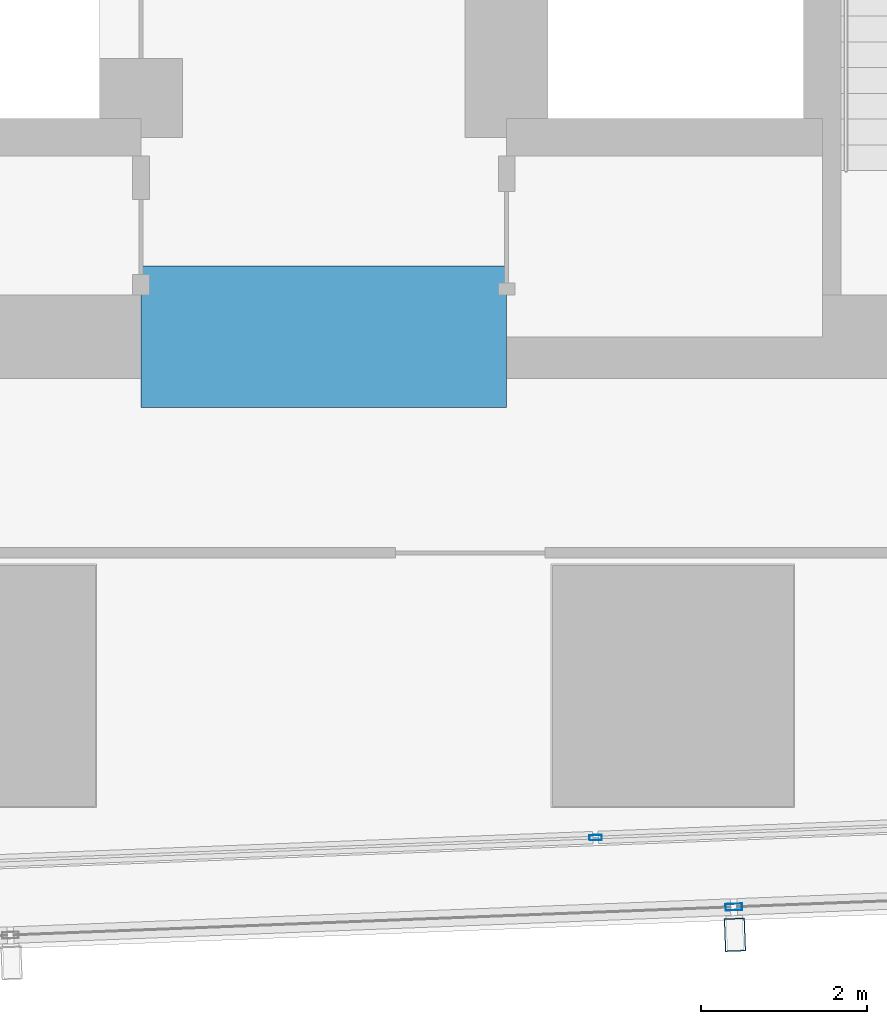
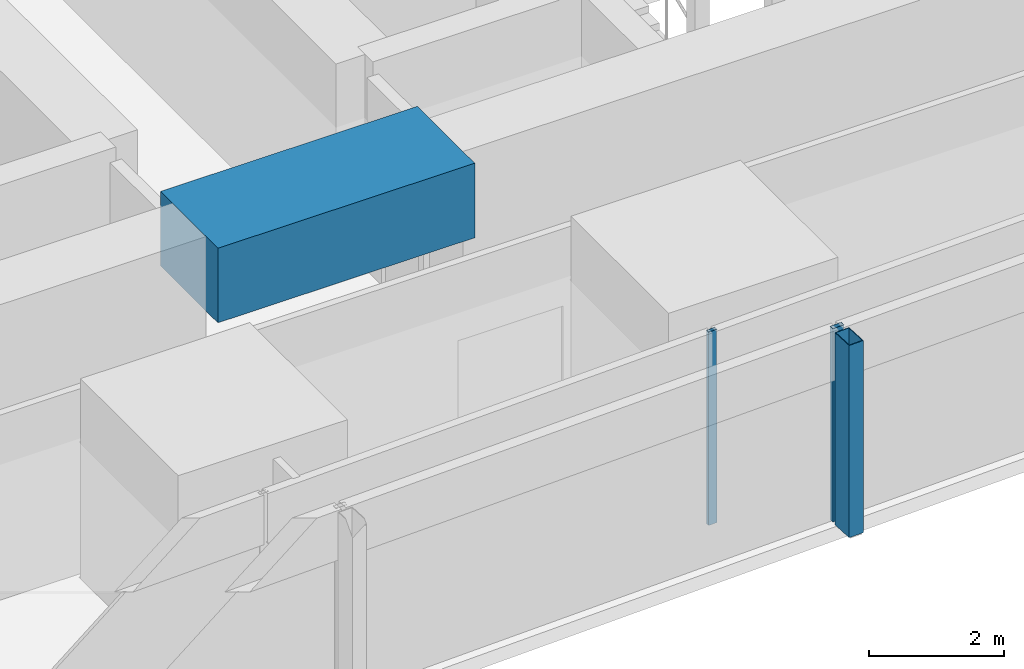
# One storey, part 9 of 40: 3 members, 1 beam, 2 elements without a shape of their own.
"""IFC4 building model written with IfcOpenShell, lengths in metres."""

import ifcopenshell
import ifcopenshell.guid

model = None  # the IFC model being written
_history = None  # IfcOwnerHistory: only IFC2X3 demands one
_inside = {}  # id of a spatial element -> (the spatial element, [elements in it])
_under = {}  # id of a project, library or spatial element -> (it, [spatial elements below it])
_declared = {}  # id of a project -> (the project, [libraries it declares])
_typed = {}  # id of a type object -> (the type object, [elements of that type])
_made_of = {}  # id of a material, layer set ... -> (it, [elements and type objects made of it])


def new_model(schema):
    """Start an empty IFC model of exactly this schema.

    Asked for "IFC4X3", IfcOpenShell would pick the latest addendum, in which some entities
    have other attributes; the version numbers below select the first issue.
    IFC2X3 requires an IfcOwnerHistory on every rooted entity: one is made here for all.
    """
    global model, _history
    if schema == "IFC4X3":
        model = ifcopenshell.file(schema_version=(4, 3, 0, 0))
    else:
        model = ifcopenshell.file(schema=schema)
    _inside.clear()
    _under.clear()
    _declared.clear()
    _typed.clear()
    _made_of.clear()
    _history = None
    if model.schema == "IFC2X3":
        org = make("IfcOrganization", Name="unknown")
        user = make(
            "IfcPersonAndOrganization",
            ThePerson=make("IfcPerson", FamilyName="unknown"),
            TheOrganization=org,
        )
        app = make(
            "IfcApplication",
            ApplicationDeveloper=org,
            Version="unknown",
            ApplicationFullName="unknown",
            ApplicationIdentifier="unknown",
        )
        _history = make(
            "IfcOwnerHistory",
            OwningUser=user,
            OwningApplication=app,
            ChangeAction="ADDED",
            CreationDate=0,
        )
    return model


def make(cls, **values):
    """One entity of the class cls with the attributes given. An attribute that is None is left unset."""
    return model.create_entity(
        cls, **{name: value for name, value in values.items() if value is not None}
    )


def rooted(cls, **values):
    """An entity with a GlobalId (a new one), such as an element, a storey or a relation."""
    return make(cls, GlobalId=ifcopenshell.guid.new(), OwnerHistory=_history, **values)


def si_unit(unit_type, name, prefix=None):
    """IfcSIUnit, for example si_unit("LENGTHUNIT", "METRE", prefix="MILLI")."""
    return make("IfcSIUnit", UnitType=unit_type, Prefix=prefix, Name=name)


def assignment(units):
    """IfcUnitAssignment: the units of a project."""
    return None if units is None else make("IfcUnitAssignment", Units=units)


def point(xyz):
    """IfcCartesianPoint."""
    return None if xyz is None else make("IfcCartesianPoint", Coordinates=xyz)


def direction(xyz):
    """IfcDirection."""
    return None if xyz is None else make("IfcDirection", DirectionRatios=xyz)


def frame(location, z_axis=None, x_axis=None):
    """IfcAxis2Placement3D, a coordinate frame: its origin and axes. An axis left out is left unset."""
    return make(
        "IfcAxis2Placement3D",
        Location=point(location),
        Axis=direction(z_axis),
        RefDirection=direction(x_axis),
    )


def frame_2d(location, x_axis=None):
    """IfcAxis2Placement2D, a coordinate frame in the plane: its origin and x axis."""
    return make(
        "IfcAxis2Placement2D", Location=point(location), RefDirection=direction(x_axis)
    )


def origin():
    """The frame at (0, 0, 0) with its axes left unset."""
    return frame((0.0, 0.0, 0.0))


def origin_2d():
    """The frame at (0, 0) in the plane with its x axis left unset."""
    return frame_2d((0.0, 0.0))


def place(relative_to, where):
    """IfcLocalPlacement: puts the frame where relative to a parent placement (None: the world)."""
    return make(
        "IfcLocalPlacement", PlacementRelTo=relative_to, RelativePlacement=where
    )


def context(
    kind, dimensions, precision=None, world=None, true_north=None, identifier=None
):
    """IfcGeometricRepresentationContext, for example the 3D "Model" context."""
    return make(
        "IfcGeometricRepresentationContext",
        ContextIdentifier=identifier,
        ContextType=kind,
        CoordinateSpaceDimension=dimensions,
        Precision=precision,
        WorldCoordinateSystem=world,
        TrueNorth=true_north,
    )


def subcontext(parent, identifier, kind, view, scale=None):
    """IfcGeometricRepresentationSubContext, for example "Body" below "Model"."""
    return make(
        "IfcGeometricRepresentationSubContext",
        ContextIdentifier=identifier,
        ContextType=kind,
        ParentContext=parent,
        TargetScale=scale,
        TargetView=view,
    )


def project(units=None, contexts=None):
    """IfcProject with its units and contexts."""
    return rooted(
        "IfcProject",
        Name="project",
        RepresentationContexts=contexts,
        UnitsInContext=assignment(units),
    )


def spatial(cls, under=None, at=None, **own):
    """A site, building, storey or space (cls), placed at a placement, below another one or the project."""
    s = rooted(cls, ObjectPlacement=at, **own)
    if under is not None:
        _under.setdefault(under.id(), (under, []))[1].append(s)
    return s


def profile(cls, at=None, kind="AREA", **sizes):
    """A parametric profile (cls). Its sizes go by their IFC names, for example OverallWidth=200.0."""
    return make(cls, ProfileType=kind, Position=at, **sizes)


def rectangle(**sizes):
    """IfcRectangleProfileDef."""
    return profile("IfcRectangleProfileDef", **sizes)


def hollow_rectangle(**sizes):
    """IfcRectangleHollowProfileDef."""
    return profile("IfcRectangleHollowProfileDef", **sizes)


def extrude(swept, where, along, depth):
    """IfcExtrudedAreaSolid: the profile swept, set in the frame where, extruded along a direction by depth."""
    return make(
        "IfcExtrudedAreaSolid",
        SweptArea=swept,
        Position=where,
        ExtrudedDirection=direction(along),
        Depth=depth,
    )


def shape(context_of_items, identifier, shape_type, items):
    """IfcShapeRepresentation: the items that make up one representation, for example the "Body"."""
    return make(
        "IfcShapeRepresentation",
        ContextOfItems=context_of_items,
        RepresentationIdentifier=identifier,
        RepresentationType=shape_type,
        Items=items,
    )


def material(Name=None, Category=None):
    """IfcMaterial."""
    return make("IfcMaterial", Name=Name, Category=Category)


def material_profile(
    of_material, cross_section, Name=None, Category=None, Priority=None
):
    """IfcMaterialProfile: a cross section and its material."""
    return make(
        "IfcMaterialProfile",
        Name=Name,
        Material=of_material,
        Profile=cross_section,
        Priority=Priority,
        Category=Category,
    )


def profile_set(profiles, Name=None, composite=None):
    """IfcMaterialProfileSet."""
    return make(
        "IfcMaterialProfileSet",
        Name=Name,
        MaterialProfiles=profiles,
        CompositeProfile=composite,
    )


def made_of(thing, what):
    """Note that an element or type object is made of a material, layer set ...; save() writes the relation."""
    if what is not None:
        _made_of.setdefault(what.id(), (what, []))[1].append(thing)
    return thing


def type_object(cls, material=None, **own):
    """A type object (cls), such as IfcWallType, which elements share."""
    return made_of(rooted(cls, **own), material)


def element(
    cls,
    number,
    at=None,
    inside=None,
    cuts=None,
    type_object=None,
    material=None,
    context=None,
    identifier="Body",
    shape_type=None,
    held_by="IfcProductDefinitionShape",
    body=None,
    shapes=None,
    **own,
):
    """One element of the class cls, such as IfcWall. Its Tag is "e" and its number.

    at: its placement. inside: the storey or other place that contains it. cuts: it is an
    opening in that element (IfcRelVoidsElement). A single representation is given by context,
    identifier, shape_type and body (its items); several are given by shapes. held_by: the class
    of the entity that holds the representations. save() writes the other relations.
    """
    e = rooted(cls, Tag="e%d" % number, ObjectPlacement=at, **own)
    if body is not None:
        shapes = [shape(context, identifier, shape_type, body)]
    if shapes is not None:
        e.Representation = make(held_by, Representations=shapes)
    if inside is not None:
        _inside.setdefault(inside.id(), (inside, []))[1].append(e)
    if cuts is not None:
        rooted(
            "IfcRelVoidsElement", RelatingBuildingElement=cuts, RelatedOpeningElement=e
        )
    if type_object is not None:
        _typed.setdefault(type_object.id(), (type_object, []))[1].append(e)
    return made_of(e, material)


def aggregate(whole, parts):
    """IfcRelAggregates: a whole, such as a stair, and the parts it consists of."""
    return rooted("IfcRelAggregates", RelatingObject=whole, RelatedObjects=parts)


def save(model, path):
    """Write the relations noted so far, then the file.

    IfcRelAggregates (storeys below a building ...), IfcRelContainedInSpatialStructure (elements
    in a storey), IfcRelDefinesByType, IfcRelAssociatesMaterial and IfcRelDeclares: one each for
    every whole, place, type object, material and project.
    """
    for whole, parts in _under.values():
        aggregate(whole, parts)
    for where, things in _inside.values():
        rooted(
            "IfcRelContainedInSpatialStructure",
            RelatedElements=things,
            RelatingStructure=where,
        )
    for kind, things in _typed.values():
        rooted("IfcRelDefinesByType", RelatedObjects=things, RelatingType=kind)
    for what, things in _made_of.values():
        rooted("IfcRelAssociatesMaterial", RelatedObjects=things, RelatingMaterial=what)
    for by, libraries in _declared.values():
        rooted("IfcRelDeclares", RelatingContext=by, RelatedDefinitions=libraries)
    model.write(path)


model = new_model("IFC4")

# Units and contexts
model_context = context("Model", 3, precision=1e-05, world=origin(), true_north=direction((0.0, 1.0)))
body_context = subcontext(model_context, "Body", "Model", "MODEL_VIEW")
ifc_project = project(units=[si_unit("LENGTHUNIT", "METRE"), si_unit("AREAUNIT", "SQUARE_METRE"), si_unit("VOLUMEUNIT", "CUBIC_METRE"), si_unit("PLANEANGLEUNIT", "RADIAN"), si_unit("MASSUNIT", "GRAM", prefix="KILO")], contexts=[model_context])

# Site, building, storey
site_placement = place(None, origin())
site = spatial("IfcSite", under=ifc_project, at=site_placement, CompositionType="ELEMENT")
building_placement = place(site_placement, origin())
building = spatial("IfcBuilding", under=site, at=building_placement, Name="Rekha Terrace Tower", CompositionType="ELEMENT")
storey_placement = place(building_placement, frame((0.0, 0.0, 95.300048828125)))
storey = spatial("IfcBuildingStorey", under=building, at=storey_placement, Name="L23", CompositionType="ELEMENT", Elevation=95.300048828125)

# Curtain wall, member
ifc_material_1 = material(Name="Aluminium framing", Category="aluminium")
curtain_wall_type_1 = type_object("IfcCurtainWallType", Name="CW2 double skin outer glazing", PredefinedType="USERDEFINED", material=ifc_material_1)
curtain_wall_1_placement = place(storey_placement, origin())
curtain_wall_1 = element("IfcCurtainWall", 1, at=curtain_wall_1_placement, inside=storey, type_object=curtain_wall_type_1, Name="CW2 double skin outer glazing", ObjectType="DOUBLE SKIN OUTER GLAZING", PredefinedType="USERDEFINED")
ifc_material_2 = material(Name="Steel S355 with fluorocarbon finish", Category="steel")
ifc_material_profile_1 = material_profile(ifc_material_2, hollow_rectangle(XDim=0.25, YDim=0.39990234375, WallThickness=0.012451171875, at=origin_2d()), Name="RHS400x250x12.5")
ifc_profile_set_1 = profile_set([ifc_material_profile_1], Name="Steel S355 with fluorocarbon finish")
member_type_1 = type_object("IfcMemberType", Name="BL1 facade blade RHS 400 x 250", PredefinedType="USERDEFINED", material=ifc_profile_set_1)
member_1_placement = place(storey_placement, frame((42.747314453125, 13.802978515625, 0.02001953125), z_axis=(0.0, 0.0, 1.0), x_axis=(0.999243494356, 0.038890088543, 0.0)))
member_1 = element("IfcMember", 2, at=member_1_placement, type_object=member_type_1, Name="Facade blade", ObjectType="FACADE BLADE", PredefinedType="USERDEFINED", context=body_context, shape_type="SweptSolid", body=[
    extrude(hollow_rectangle(XDim=0.25, YDim=0.39990234375, WallThickness=0.012451171875, at=origin_2d()), origin(), (0.0, 0.0, 1.0), 3.47998046875),
])

curtain_wall_type_2 = type_object("IfcCurtainWallType", Name="CW1 double skin inner glazing", PredefinedType="USERDEFINED", material=ifc_material_1)
curtain_wall_2_placement = place(storey_placement, origin())
curtain_wall_2 = element("IfcCurtainWall", 3, at=curtain_wall_2_placement, inside=storey, type_object=curtain_wall_type_2, Name="CW1 double skin inner glazing", ObjectType="DOUBLE SKIN INNER GLAZING", PredefinedType="USERDEFINED")
ifc_material_3 = material(Name="Aluminium mullion section", Category="aluminium")
ifc_material_profile_2 = material_profile(ifc_material_3, hollow_rectangle(XDim=0.06494140625, YDim=0.14990234375, WallThickness=0.00390625, at=origin_2d()), Name="AL RHS 65x150")
ifc_profile_set_2 = profile_set([ifc_material_profile_2], Name="Aluminium mullion section")
member_type_2 = type_object("IfcMemberType", Name="CW1 mullion RHS 65 x 150", PredefinedType="MULLION", material=ifc_profile_set_2)
member_2_placement = place(storey_placement, frame((41.071044921875, 14.973876953125, 0.0), z_axis=(0.0, 0.0, 1.0), x_axis=(-0.038889971345, 0.999243498917, 0.0)))
member_2 = element("IfcMember", 4, at=member_2_placement, type_object=member_type_2, Name="CW1 mullion 3", PredefinedType="MULLION", context=body_context, shape_type="SweptSolid", body=[
    extrude(hollow_rectangle(XDim=0.06494140625, YDim=0.14990234375, WallThickness=0.00390625, at=origin_2d()), origin(), (0.0, 0.0, 1.0), 3.5),
])
aggregate(curtain_wall_2, [member_2])

# Member
ifc_material_profile_3 = material_profile(ifc_material_3, hollow_rectangle(XDim=0.080078125, YDim=0.199951171875, WallThickness=0.00390625, at=origin_2d()), Name="AL RHS 80x200")
ifc_profile_set_3 = profile_set([ifc_material_profile_3], Name="Aluminium mullion section")
member_type_3 = type_object("IfcMemberType", Name="CW2 mullion RHS 80 x 200", PredefinedType="MULLION", material=ifc_profile_set_3)
member_3_placement = place(storey_placement, frame((42.734130859375, 14.137939453125, 0.0), z_axis=(0.0, 0.0, 1.0), x_axis=(-0.038889971345, 0.999243498917, 0.0)))
member_3 = element("IfcMember", 5, at=member_3_placement, type_object=member_type_3, Name="CW2 mullion 3", PredefinedType="MULLION", context=body_context, shape_type="SweptSolid", body=[
    extrude(hollow_rectangle(XDim=0.080078125, YDim=0.199951171875, WallThickness=0.00390625, at=origin_2d()), origin(), (0.0, 0.0, 1.0), 3.5),
])

aggregate(curtain_wall_1, [member_3, member_1])

# Beam
ifc_material_4 = material(Name="Concrete M70", Category="concrete")
ifc_material_profile_4 = material_profile(ifc_material_4, rectangle(XDim=1.699951171875, YDim=1.35009765625, at=origin_2d()), Name="RC 1700x1350")
ifc_profile_set_4 = profile_set([ifc_material_profile_4], Name="Concrete M70")
beam_type = type_object("IfcBeamType", Name="LB2A 1700x1350 diagonally reinforced coupling beam", PredefinedType="LINTEL", material=ifc_profile_set_4)
beam_placement = place(storey_placement, frame((35.60009765625, 21.0, 3.074951171875), z_axis=(1.0, 0.0, 0.0), x_axis=(0.0, 1.0, 0.0)))
element("IfcBeam", 6, at=beam_placement, inside=storey, type_object=beam_type, Name="Coupling beam LB2A S L23", PredefinedType="LINTEL", context=body_context, shape_type="SweptSolid", body=[
    extrude(rectangle(XDim=1.699951171875, YDim=1.35009765625, at=origin_2d()), origin(), (0.0, 0.0, 1.0), 4.39990234375),
])

save(model, "model.ifc")
